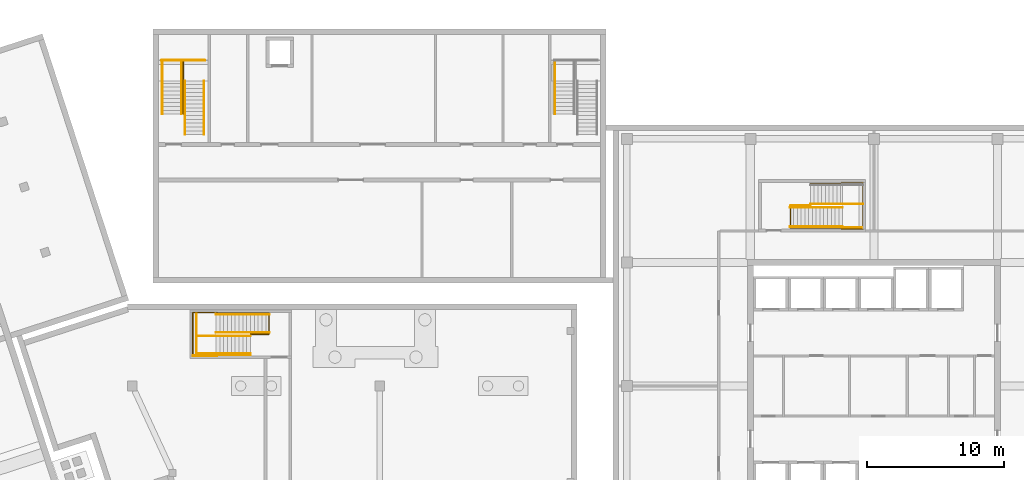
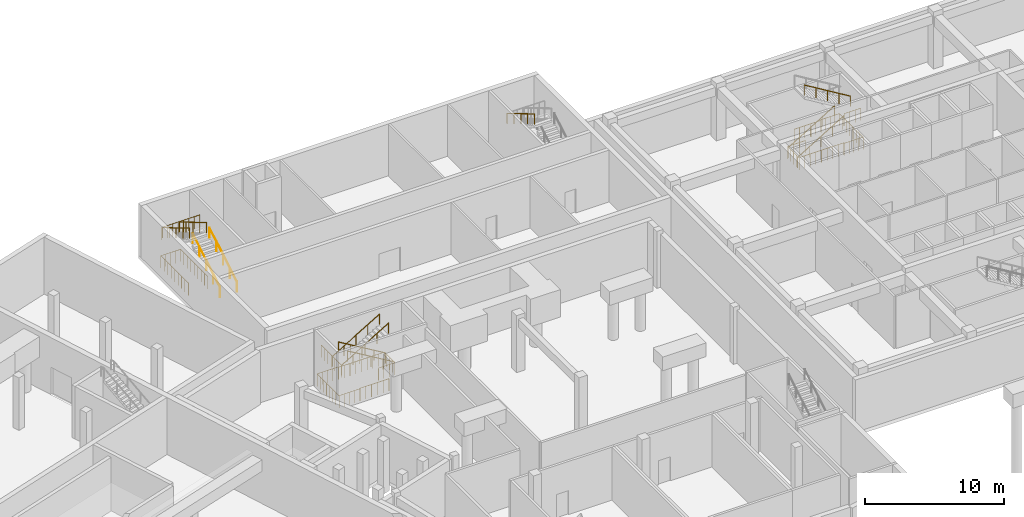
# One storey, part 14 of 15: 20 railings.
"""IFC4 building model written with IfcOpenShell, lengths in metres."""

import ifcopenshell
import ifcopenshell.guid

model = None  # the IFC model being written
_history = None  # IfcOwnerHistory: only IFC2X3 demands one
_inside = {}  # id of a spatial element -> (the spatial element, [elements in it])
_under = {}  # id of a project, library or spatial element -> (it, [spatial elements below it])
_declared = {}  # id of a project -> (the project, [libraries it declares])
_typed = {}  # id of a type object -> (the type object, [elements of that type])
_made_of = {}  # id of a material, layer set ... -> (it, [elements and type objects made of it])


def new_model(schema):
    """Start an empty IFC model of exactly this schema.

    Asked for "IFC4X3", IfcOpenShell would pick the latest addendum, in which some entities
    have other attributes; the version numbers below select the first issue.
    IFC2X3 requires an IfcOwnerHistory on every rooted entity: one is made here for all.
    """
    global model, _history
    if schema == "IFC4X3":
        model = ifcopenshell.file(schema_version=(4, 3, 0, 0))
    else:
        model = ifcopenshell.file(schema=schema)
    _inside.clear()
    _under.clear()
    _declared.clear()
    _typed.clear()
    _made_of.clear()
    _history = None
    if model.schema == "IFC2X3":
        org = make("IfcOrganization", Name="unknown")
        user = make(
            "IfcPersonAndOrganization",
            ThePerson=make("IfcPerson", FamilyName="unknown"),
            TheOrganization=org,
        )
        app = make(
            "IfcApplication",
            ApplicationDeveloper=org,
            Version="unknown",
            ApplicationFullName="unknown",
            ApplicationIdentifier="unknown",
        )
        _history = make(
            "IfcOwnerHistory",
            OwningUser=user,
            OwningApplication=app,
            ChangeAction="ADDED",
            CreationDate=0,
        )
    return model


def make(cls, **values):
    """One entity of the class cls with the attributes given. An attribute that is None is left unset."""
    return model.create_entity(
        cls, **{name: value for name, value in values.items() if value is not None}
    )


def rooted(cls, **values):
    """An entity with a GlobalId (a new one), such as an element, a storey or a relation."""
    return make(cls, GlobalId=ifcopenshell.guid.new(), OwnerHistory=_history, **values)


def si_unit(unit_type, name, prefix=None):
    """IfcSIUnit, for example si_unit("LENGTHUNIT", "METRE", prefix="MILLI")."""
    return make("IfcSIUnit", UnitType=unit_type, Prefix=prefix, Name=name)


def assignment(units):
    """IfcUnitAssignment: the units of a project."""
    return None if units is None else make("IfcUnitAssignment", Units=units)


def point(xyz):
    """IfcCartesianPoint."""
    return None if xyz is None else make("IfcCartesianPoint", Coordinates=xyz)


def direction(xyz):
    """IfcDirection."""
    return None if xyz is None else make("IfcDirection", DirectionRatios=xyz)


def frame(location, z_axis=None, x_axis=None):
    """IfcAxis2Placement3D, a coordinate frame: its origin and axes. An axis left out is left unset."""
    return make(
        "IfcAxis2Placement3D",
        Location=point(location),
        Axis=direction(z_axis),
        RefDirection=direction(x_axis),
    )


def frame_2d(location, x_axis=None):
    """IfcAxis2Placement2D, a coordinate frame in the plane: its origin and x axis."""
    return make(
        "IfcAxis2Placement2D", Location=point(location), RefDirection=direction(x_axis)
    )


def origin():
    """The frame at (0, 0, 0) with its axes left unset."""
    return frame((0.0, 0.0, 0.0))


def origin_2d():
    """The frame at (0, 0) in the plane with its x axis left unset."""
    return frame_2d((0.0, 0.0))


def place(relative_to, where):
    """IfcLocalPlacement: puts the frame where relative to a parent placement (None: the world)."""
    return make(
        "IfcLocalPlacement", PlacementRelTo=relative_to, RelativePlacement=where
    )


def context(
    kind, dimensions, precision=None, world=None, true_north=None, identifier=None
):
    """IfcGeometricRepresentationContext, for example the 3D "Model" context."""
    return make(
        "IfcGeometricRepresentationContext",
        ContextIdentifier=identifier,
        ContextType=kind,
        CoordinateSpaceDimension=dimensions,
        Precision=precision,
        WorldCoordinateSystem=world,
        TrueNorth=true_north,
    )


def subcontext(parent, identifier, kind, view, scale=None):
    """IfcGeometricRepresentationSubContext, for example "Body" below "Model"."""
    return make(
        "IfcGeometricRepresentationSubContext",
        ContextIdentifier=identifier,
        ContextType=kind,
        ParentContext=parent,
        TargetScale=scale,
        TargetView=view,
    )


def project(units=None, contexts=None):
    """IfcProject with its units and contexts."""
    return rooted(
        "IfcProject",
        Name="project",
        RepresentationContexts=contexts,
        UnitsInContext=assignment(units),
    )


def spatial(cls, under=None, at=None, **own):
    """A site, building, storey or space (cls), placed at a placement, below another one or the project."""
    s = rooted(cls, ObjectPlacement=at, **own)
    if under is not None:
        _under.setdefault(under.id(), (under, []))[1].append(s)
    return s


def profile(cls, at=None, kind="AREA", **sizes):
    """A parametric profile (cls). Its sizes go by their IFC names, for example OverallWidth=200.0."""
    return make(cls, ProfileType=kind, Position=at, **sizes)


def circle(**sizes):
    """IfcCircleProfileDef."""
    return profile("IfcCircleProfileDef", **sizes)


def extrude(swept, where, along, depth):
    """IfcExtrudedAreaSolid: the profile swept, set in the frame where, extruded along a direction by depth."""
    return make(
        "IfcExtrudedAreaSolid",
        SweptArea=swept,
        Position=where,
        ExtrudedDirection=direction(along),
        Depth=depth,
    )


def shape(context_of_items, identifier, shape_type, items):
    """IfcShapeRepresentation: the items that make up one representation, for example the "Body"."""
    return make(
        "IfcShapeRepresentation",
        ContextOfItems=context_of_items,
        RepresentationIdentifier=identifier,
        RepresentationType=shape_type,
        Items=items,
    )


def material(Name=None, Category=None):
    """IfcMaterial."""
    return make("IfcMaterial", Name=Name, Category=Category)


def made_of(thing, what):
    """Note that an element or type object is made of a material, layer set ...; save() writes the relation."""
    if what is not None:
        _made_of.setdefault(what.id(), (what, []))[1].append(thing)
    return thing


def type_object(cls, material=None, **own):
    """A type object (cls), such as IfcWallType, which elements share."""
    return made_of(rooted(cls, **own), material)


def element(
    cls,
    number,
    at=None,
    inside=None,
    cuts=None,
    type_object=None,
    material=None,
    context=None,
    identifier="Body",
    shape_type=None,
    held_by="IfcProductDefinitionShape",
    body=None,
    shapes=None,
    **own,
):
    """One element of the class cls, such as IfcWall. Its Tag is "e" and its number.

    at: its placement. inside: the storey or other place that contains it. cuts: it is an
    opening in that element (IfcRelVoidsElement). A single representation is given by context,
    identifier, shape_type and body (its items); several are given by shapes. held_by: the class
    of the entity that holds the representations. save() writes the other relations.
    """
    e = rooted(cls, Tag="e%d" % number, ObjectPlacement=at, **own)
    if body is not None:
        shapes = [shape(context, identifier, shape_type, body)]
    if shapes is not None:
        e.Representation = make(held_by, Representations=shapes)
    if inside is not None:
        _inside.setdefault(inside.id(), (inside, []))[1].append(e)
    if cuts is not None:
        rooted(
            "IfcRelVoidsElement", RelatingBuildingElement=cuts, RelatedOpeningElement=e
        )
    if type_object is not None:
        _typed.setdefault(type_object.id(), (type_object, []))[1].append(e)
    return made_of(e, material)


def aggregate(whole, parts):
    """IfcRelAggregates: a whole, such as a stair, and the parts it consists of."""
    return rooted("IfcRelAggregates", RelatingObject=whole, RelatedObjects=parts)


def save(model, path):
    """Write the relations noted so far, then the file.

    IfcRelAggregates (storeys below a building ...), IfcRelContainedInSpatialStructure (elements
    in a storey), IfcRelDefinesByType, IfcRelAssociatesMaterial and IfcRelDeclares: one each for
    every whole, place, type object, material and project.
    """
    for whole, parts in _under.values():
        aggregate(whole, parts)
    for where, things in _inside.values():
        rooted(
            "IfcRelContainedInSpatialStructure",
            RelatedElements=things,
            RelatingStructure=where,
        )
    for kind, things in _typed.values():
        rooted("IfcRelDefinesByType", RelatedObjects=things, RelatingType=kind)
    for what, things in _made_of.values():
        rooted("IfcRelAssociatesMaterial", RelatedObjects=things, RelatingMaterial=what)
    for by, libraries in _declared.values():
        rooted("IfcRelDeclares", RelatingContext=by, RelatedDefinitions=libraries)
    model.write(path)


model = new_model("IFC4")

# Units and contexts
model_context = context("Model", 3, precision=1e-05, world=origin(), true_north=direction((0.0, 1.0)))
body_context = subcontext(model_context, "Body", "Model", "MODEL_VIEW")
ifc_project = project(units=[si_unit("LENGTHUNIT", "METRE"), si_unit("AREAUNIT", "SQUARE_METRE"), si_unit("VOLUMEUNIT", "CUBIC_METRE"), si_unit("PLANEANGLEUNIT", "RADIAN"), si_unit("MASSUNIT", "GRAM", prefix="KILO")], contexts=[model_context])

# Site, building, storey
site_placement = place(None, origin())
site = spatial("IfcSite", under=ifc_project, at=site_placement, CompositionType="ELEMENT")
building_placement = place(site_placement, origin())
building = spatial("IfcBuilding", under=site, at=building_placement, Name="Tuart Plaza Theatre", CompositionType="ELEMENT")
storey_placement = place(building_placement, frame((0.0, 0.0, -5.0)))
storey = spatial("IfcBuildingStorey", under=building, at=storey_placement, Name="B1", CompositionType="ELEMENT", Elevation=-5.0)

# Railings
ifc_material_1 = material(Name="Steel Grade C350L0", Category="steel")
railing_type_1 = type_object("IfcRailingType", Name="RAILING Guard 1100", PredefinedType="GUARDRAIL", material=ifc_material_1)
railing_1_placement = place(storey_placement, frame((82.39990234375, 76.199951171875, 0.0)))
element("IfcRailing", 1, at=railing_1_placement, inside=storey, type_object=railing_type_1, Name="GR169", PredefinedType="GUARDRAIL", context=body_context, shape_type="SweptSolid", body=[
    extrude(circle(Radius=0.02490234375, at=origin_2d()), frame((0.0, 0.0, 1.0751953125), z_axis=(0.0, 1.0, 0.0), x_axis=(-1.0, 0.0, 0.0)), (0.0, 0.0, 1.0), 3.150146484375),
    extrude(circle(Radius=0.02490234375, at=origin_2d()), frame((0.0, 3.150146484375, 1.0751953125), z_axis=(1.0, 0.0, 0.0), x_axis=(0.0, 1.0, 0.0)), (0.0, 0.0, 1.0), 1.75),
    extrude(circle(Radius=0.02490234375, at=origin_2d()), frame((1.75, 3.150146484375, 1.0751953125), z_axis=(0.0, -1.0, 0.0), x_axis=(1.0, 0.0, 0.0)), (0.0, 0.0, 1.0), 0.050048828125),
    extrude(circle(Radius=0.02490234375, at=origin_2d()), frame((1.75, 3.10009765625, 1.0751953125), z_axis=(1.0, 0.0, 0.0), x_axis=(0.0, 1.0, 0.0)), (0.0, 0.0, 1.0), 3.7900390625),
    extrude(circle(Radius=0.02490234375, at=origin_2d()), frame((5.5400390625, 3.10009765625, 1.0751953125), z_axis=(0.0, -1.0, 0.0), x_axis=(1.0, 0.0, 0.0)), (0.0, 0.0, 1.0), 1.525146484375),
    extrude(circle(Radius=0.02490234375, at=origin_2d()), frame((5.5400390625, 1.574951171875, 1.0751953125), z_axis=(-1.0, 0.0, 0.0), x_axis=(0.0, -1.0, 0.0)), (0.0, 0.0, 1.0), 1.35498046875),
    extrude(circle(Radius=0.02001953125, at=origin_2d()), origin(), (0.0, 0.0, 1.0), 1.050048828125),
    extrude(circle(Radius=0.02001953125, at=origin_2d()), frame((0.0, 0.449951171875, 0.0)), (0.0, 0.0, 1.0), 1.050048828125),
    extrude(circle(Radius=0.02001953125, at=origin_2d()), frame((0.0, 0.900146484375, 0.0)), (0.0, 0.0, 1.0), 1.050048828125),
    extrude(circle(Radius=0.02001953125, at=origin_2d()), frame((0.0, 1.35009765625, 0.0)), (0.0, 0.0, 1.0), 1.050048828125),
    extrude(circle(Radius=0.02001953125, at=origin_2d()), frame((0.0, 1.800048828125, 0.0)), (0.0, 0.0, 1.0), 1.050048828125),
    extrude(circle(Radius=0.02001953125, at=origin_2d()), frame((0.0, 2.25, 0.0)), (0.0, 0.0, 1.0), 1.050048828125),
    extrude(circle(Radius=0.02001953125, at=origin_2d()), frame((0.0, 2.7001953125, 0.0)), (0.0, 0.0, 1.0), 1.050048828125),
    extrude(circle(Radius=0.02001953125, at=origin_2d()), frame((0.0, 3.150146484375, 0.0)), (0.0, 0.0, 1.0), 1.050048828125),
    extrude(circle(Radius=0.02001953125, at=origin_2d()), frame((0.4375, 3.150146484375, 0.0)), (0.0, 0.0, 1.0), 1.050048828125),
    extrude(circle(Radius=0.02001953125, at=origin_2d()), frame((0.875, 3.150146484375, 0.0)), (0.0, 0.0, 1.0), 1.050048828125),
    extrude(circle(Radius=0.02001953125, at=origin_2d()), frame((1.3125, 3.150146484375, 0.0)), (0.0, 0.0, 1.0), 1.050048828125),
    extrude(circle(Radius=0.02001953125, at=origin_2d()), frame((1.75, 3.150146484375, 0.0)), (0.0, 0.0, 1.0), 1.050048828125),
    extrude(circle(Radius=0.02001953125, at=origin_2d()), frame((1.75, 3.10009765625, 0.0)), (0.0, 0.0, 1.0), 1.050048828125),
    extrude(circle(Radius=0.02001953125, at=origin_2d()), frame((2.2236328125, 3.10009765625, 0.0)), (0.0, 0.0, 1.0), 1.050048828125),
    extrude(circle(Radius=0.02001953125, at=origin_2d()), frame((2.697509765625, 3.10009765625, 0.0)), (0.0, 0.0, 1.0), 1.050048828125),
    extrude(circle(Radius=0.02001953125, at=origin_2d()), frame((3.17138671875, 3.10009765625, 0.0)), (0.0, 0.0, 1.0), 1.050048828125),
    extrude(circle(Radius=0.02001953125, at=origin_2d()), frame((3.64501953125, 3.10009765625, 0.0)), (0.0, 0.0, 1.0), 1.050048828125),
    extrude(circle(Radius=0.02001953125, at=origin_2d()), frame((4.11865234375, 3.10009765625, 0.0)), (0.0, 0.0, 1.0), 1.050048828125),
    extrude(circle(Radius=0.02001953125, at=origin_2d()), frame((4.592529296875, 3.10009765625, 0.0)), (0.0, 0.0, 1.0), 1.050048828125),
    extrude(circle(Radius=0.02001953125, at=origin_2d()), frame((5.06640625, 3.10009765625, 0.0)), (0.0, 0.0, 1.0), 1.050048828125),
    extrude(circle(Radius=0.02001953125, at=origin_2d()), frame((5.5400390625, 3.10009765625, 0.0)), (0.0, 0.0, 1.0), 1.050048828125),
    extrude(circle(Radius=0.02001953125, at=origin_2d()), frame((5.5400390625, 2.71875, 0.0)), (0.0, 0.0, 1.0), 1.050048828125),
    extrude(circle(Radius=0.02001953125, at=origin_2d()), frame((5.5400390625, 2.33740234375, 0.0)), (0.0, 0.0, 1.0), 1.050048828125),
    extrude(circle(Radius=0.02001953125, at=origin_2d()), frame((5.5400390625, 1.956298828125, 0.0)), (0.0, 0.0, 1.0), 1.050048828125),
    extrude(circle(Radius=0.02001953125, at=origin_2d()), frame((5.5400390625, 1.574951171875, 0.0)), (0.0, 0.0, 1.0), 1.050048828125),
    extrude(circle(Radius=0.02001953125, at=origin_2d()), frame((5.08837890625, 1.574951171875, 0.0)), (0.0, 0.0, 1.0), 1.050048828125),
    extrude(circle(Radius=0.02001953125, at=origin_2d()), frame((4.63671875, 1.574951171875, 0.0)), (0.0, 0.0, 1.0), 1.050048828125),
    extrude(circle(Radius=0.02001953125, at=origin_2d()), frame((4.18505859375, 1.574951171875, 0.0)), (0.0, 0.0, 1.0), 1.050048828125),
])
railing_2_placement = place(storey_placement, frame((86.580078125, 76.294921875, 0.0)))
element("IfcRailing", 2, at=railing_2_placement, inside=storey, type_object=railing_type_1, Name="GR170", PredefinedType="GUARDRAIL", context=body_context, shape_type="SweptSolid", body=[
    extrude(circle(Radius=0.02490234375, at=origin_2d()), frame((0.0, 0.0, 1.0751953125), z_axis=(0.0, -1.0, 0.0), x_axis=(1.0, 0.0, 0.0)), (0.0, 0.0, 1.0), 0.044921875),
    extrude(circle(Radius=0.02490234375, at=origin_2d()), frame((0.0, -0.044921875, 1.0751953125), z_axis=(-1.0, 0.0, 0.0), x_axis=(0.0, -1.0, 0.0)), (0.0, 0.0, 1.0), 2.43017578125),
    extrude(circle(Radius=0.02490234375, at=origin_2d()), frame((-2.43017578125, -0.044921875, 1.0751953125), z_axis=(0.0, -1.0, 0.0), x_axis=(1.0, 0.0, 0.0)), (0.0, 0.0, 1.0), 0.050048828125),
    extrude(circle(Radius=0.02490234375, at=origin_2d()), frame((-2.43017578125, -0.094970703125, 1.0751953125), z_axis=(-1.0, 0.0, 0.0), x_axis=(0.0, -1.0, 0.0)), (0.0, 0.0, 1.0), 1.75),
    extrude(circle(Radius=0.02001953125, at=origin_2d()), origin(), (0.0, 0.0, 1.0), 1.050048828125),
    extrude(circle(Radius=0.02001953125, at=origin_2d()), frame((0.0, -0.044921875, 0.0)), (0.0, 0.0, 1.0), 1.050048828125),
    extrude(circle(Radius=0.02001953125, at=origin_2d()), frame((-0.486083984375, -0.044921875, 0.0)), (0.0, 0.0, 1.0), 1.050048828125),
    extrude(circle(Radius=0.02001953125, at=origin_2d()), frame((-0.97216796875, -0.044921875, 0.0)), (0.0, 0.0, 1.0), 1.050048828125),
    extrude(circle(Radius=0.02001953125, at=origin_2d()), frame((-1.4580078125, -0.044921875, 0.0)), (0.0, 0.0, 1.0), 1.050048828125),
    extrude(circle(Radius=0.02001953125, at=origin_2d()), frame((-1.944091796875, -0.044921875, 0.0)), (0.0, 0.0, 1.0), 1.050048828125),
    extrude(circle(Radius=0.02001953125, at=origin_2d()), frame((-2.43017578125, -0.044921875, 0.0)), (0.0, 0.0, 1.0), 1.050048828125),
    extrude(circle(Radius=0.02001953125, at=origin_2d()), frame((-2.43017578125, -0.094970703125, 0.0)), (0.0, 0.0, 1.0), 1.050048828125),
    extrude(circle(Radius=0.02001953125, at=origin_2d()), frame((-2.86767578125, -0.094970703125, 0.0)), (0.0, 0.0, 1.0), 1.050048828125),
    extrude(circle(Radius=0.02001953125, at=origin_2d()), frame((-3.30517578125, -0.094970703125, 0.0)), (0.0, 0.0, 1.0), 1.050048828125),
    extrude(circle(Radius=0.02001953125, at=origin_2d()), frame((-3.74267578125, -0.094970703125, 0.0)), (0.0, 0.0, 1.0), 1.050048828125),
    extrude(circle(Radius=0.02001953125, at=origin_2d()), frame((-4.18017578125, -0.094970703125, 0.0)), (0.0, 0.0, 1.0), 1.050048828125),
])
railing_3_placement = place(storey_placement, frame((82.669921875, 79.22998046875, 2.5)))
element("IfcRailing", 3, at=railing_3_placement, inside=storey, type_object=railing_type_1, Name="GR174", PredefinedType="GUARDRAIL", context=body_context, shape_type="SweptSolid", body=[
    extrude(circle(Radius=0.02490234375, at=origin_2d()), frame((0.0, 0.0, 1.0751953125), z_axis=(0.0, -1.0, 0.0), x_axis=(1.0, 0.0, 0.0)), (0.0, 0.0, 1.0), 2.909912109375),
    extrude(circle(Radius=0.02001953125, at=origin_2d()), origin(), (0.0, 0.0, 1.0), 1.050048828125),
    extrude(circle(Radius=0.02001953125, at=origin_2d()), frame((0.0, -0.48486328125, 0.0)), (0.0, 0.0, 1.0), 1.050048828125),
    extrude(circle(Radius=0.02001953125, at=origin_2d()), frame((0.0, -0.969970703125, 0.0)), (0.0, 0.0, 1.0), 1.050048828125),
    extrude(circle(Radius=0.02001953125, at=origin_2d()), frame((0.0, -1.455078125, 0.0)), (0.0, 0.0, 1.0), 1.050048828125),
    extrude(circle(Radius=0.02001953125, at=origin_2d()), frame((0.0, -1.93994140625, 0.0)), (0.0, 0.0, 1.0), 1.050048828125),
    extrude(circle(Radius=0.02001953125, at=origin_2d()), frame((0.0, -2.4248046875, 0.0)), (0.0, 0.0, 1.0), 1.050048828125),
    extrude(circle(Radius=0.02001953125, at=origin_2d()), frame((0.0, -2.909912109375, 0.0)), (0.0, 0.0, 1.0), 1.050048828125),
])
railing_4_placement = place(storey_placement, frame((125.929931640625, 87.125, 0.0)))
element("IfcRailing", 4, at=railing_4_placement, inside=storey, type_object=railing_type_1, Name="GR445", PredefinedType="GUARDRAIL", context=body_context, shape_type="SweptSolid", body=[
    extrude(circle(Radius=0.02490234375, at=origin_2d()), frame((0.0, 0.0, 1.0751953125), z_axis=(1.0, 0.0, 0.0), x_axis=(0.0, 1.0, 0.0)), (0.0, 0.0, 1.0), 1.455078125),
    extrude(circle(Radius=0.02001953125, at=origin_2d()), origin(), (0.0, 0.0, 1.0), 1.050048828125),
    extrude(circle(Radius=0.02001953125, at=origin_2d()), frame((0.485107421875, 0.0, 0.0)), (0.0, 0.0, 1.0), 1.050048828125),
    extrude(circle(Radius=0.02001953125, at=origin_2d()), frame((0.969970703125, 0.0, 0.0)), (0.0, 0.0, 1.0), 1.050048828125),
    extrude(circle(Radius=0.02001953125, at=origin_2d()), frame((1.455078125, 0.0, 0.0)), (0.0, 0.0, 1.0), 1.050048828125),
])
railing_5_placement = place(storey_placement, frame((127.389892578125, 88.705078125, 0.0)))
element("IfcRailing", 5, at=railing_5_placement, inside=storey, type_object=railing_type_1, Name="GR446", PredefinedType="GUARDRAIL", context=body_context, shape_type="SweptSolid", body=[
    extrude(circle(Radius=0.02490234375, at=origin_2d()), frame((0.0, 0.0, 1.0751953125), z_axis=(0.0, 1.0, 0.0), x_axis=(-1.0, 0.0, 0.0)), (0.0, 0.0, 1.0), 0.044921875),
    extrude(circle(Radius=0.02490234375, at=origin_2d()), frame((0.0, 0.044921875, 1.0751953125), z_axis=(1.0, 0.0, 0.0), x_axis=(0.0, 1.0, 0.0)), (0.0, 0.0, 1.0), 2.260009765625),
    extrude(circle(Radius=0.02490234375, at=origin_2d()), frame((2.260009765625, 0.044921875, 1.0751953125), z_axis=(0.0, 1.0, 0.0), x_axis=(-1.0, 0.0, 0.0)), (0.0, 0.0, 1.0), 0.074951171875),
    extrude(circle(Radius=0.02490234375, at=origin_2d()), frame((2.260009765625, 0.119873046875, 1.0751953125), z_axis=(1.0, 0.0, 0.0), x_axis=(0.0, 1.0, 0.0)), (0.0, 0.0, 1.0), 1.550048828125),
    extrude(circle(Radius=0.02490234375, at=origin_2d()), frame((3.81005859375, 0.119873046875, 1.0751953125), z_axis=(0.0, -1.0, 0.0), x_axis=(1.0, 0.0, 0.0)), (0.0, 0.0, 1.0), 3.39990234375),
    extrude(circle(Radius=0.02490234375, at=origin_2d()), frame((3.81005859375, -3.280029296875, 1.0751953125), z_axis=(-1.0, 0.0, 0.0), x_axis=(0.0, -1.0, 0.0)), (0.0, 0.0, 1.0), 1.550048828125),
    extrude(circle(Radius=0.02490234375, at=origin_2d()), frame((2.260009765625, -3.280029296875, 1.0751953125), z_axis=(0.0, 1.0, 0.0), x_axis=(-1.0, 0.0, 0.0)), (0.0, 0.0, 1.0), 0.074951171875),
    extrude(circle(Radius=0.02490234375, at=origin_2d()), frame((2.260009765625, -3.205078125, 1.0751953125), z_axis=(-1.0, 0.0, 0.0), x_axis=(0.0, -1.0, 0.0)), (0.0, 0.0, 1.0), 3.719970703125),
    extrude(circle(Radius=0.02490234375, at=origin_2d()), frame((-1.4599609375, -3.205078125, 1.0751953125), z_axis=(0.0, 1.0, 0.0), x_axis=(-1.0, 0.0, 0.0)), (0.0, 0.0, 1.0), 1.625),
    extrude(circle(Radius=0.02001953125, at=origin_2d()), origin(), (0.0, 0.0, 1.0), 1.050048828125),
    extrude(circle(Radius=0.02001953125, at=origin_2d()), frame((0.0, 0.044921875, 0.0)), (0.0, 0.0, 1.0), 1.050048828125),
    extrude(circle(Radius=0.02001953125, at=origin_2d()), frame((0.451904296875, 0.044921875, 0.0)), (0.0, 0.0, 1.0), 1.050048828125),
    extrude(circle(Radius=0.02001953125, at=origin_2d()), frame((0.904052734375, 0.044921875, 0.0)), (0.0, 0.0, 1.0), 1.050048828125),
    extrude(circle(Radius=0.02001953125, at=origin_2d()), frame((1.35595703125, 0.044921875, 0.0)), (0.0, 0.0, 1.0), 1.050048828125),
    extrude(circle(Radius=0.02001953125, at=origin_2d()), frame((1.80810546875, 0.044921875, 0.0)), (0.0, 0.0, 1.0), 1.050048828125),
    extrude(circle(Radius=0.02001953125, at=origin_2d()), frame((2.260009765625, 0.044921875, 0.0)), (0.0, 0.0, 1.0), 1.050048828125),
    extrude(circle(Radius=0.02001953125, at=origin_2d()), frame((2.260009765625, 0.119873046875, 0.0)), (0.0, 0.0, 1.0), 1.050048828125),
    extrude(circle(Radius=0.02001953125, at=origin_2d()), frame((2.6474609375, 0.119873046875, 0.0)), (0.0, 0.0, 1.0), 1.050048828125),
    extrude(circle(Radius=0.02001953125, at=origin_2d()), frame((3.03515625, 0.119873046875, 0.0)), (0.0, 0.0, 1.0), 1.050048828125),
    extrude(circle(Radius=0.02001953125, at=origin_2d()), frame((3.422607421875, 0.119873046875, 0.0)), (0.0, 0.0, 1.0), 1.050048828125),
    extrude(circle(Radius=0.02001953125, at=origin_2d()), frame((3.81005859375, 0.119873046875, 0.0)), (0.0, 0.0, 1.0), 1.050048828125),
    extrude(circle(Radius=0.02001953125, at=origin_2d()), frame((3.81005859375, -0.36572265625, 0.0)), (0.0, 0.0, 1.0), 1.050048828125),
    extrude(circle(Radius=0.02001953125, at=origin_2d()), frame((3.81005859375, -0.8515625, 0.0)), (0.0, 0.0, 1.0), 1.050048828125),
    extrude(circle(Radius=0.02001953125, at=origin_2d()), frame((3.81005859375, -1.337158203125, 0.0)), (0.0, 0.0, 1.0), 1.050048828125),
    extrude(circle(Radius=0.02001953125, at=origin_2d()), frame((3.81005859375, -1.822998046875, 0.0)), (0.0, 0.0, 1.0), 1.050048828125),
    extrude(circle(Radius=0.02001953125, at=origin_2d()), frame((3.81005859375, -2.30859375, 0.0)), (0.0, 0.0, 1.0), 1.050048828125),
    extrude(circle(Radius=0.02001953125, at=origin_2d()), frame((3.81005859375, -2.79443359375, 0.0)), (0.0, 0.0, 1.0), 1.050048828125),
    extrude(circle(Radius=0.02001953125, at=origin_2d()), frame((3.81005859375, -3.280029296875, 0.0)), (0.0, 0.0, 1.0), 1.050048828125),
    extrude(circle(Radius=0.02001953125, at=origin_2d()), frame((3.422607421875, -3.280029296875, 0.0)), (0.0, 0.0, 1.0), 1.050048828125),
    extrude(circle(Radius=0.02001953125, at=origin_2d()), frame((3.03515625, -3.280029296875, 0.0)), (0.0, 0.0, 1.0), 1.050048828125),
    extrude(circle(Radius=0.02001953125, at=origin_2d()), frame((2.6474609375, -3.280029296875, 0.0)), (0.0, 0.0, 1.0), 1.050048828125),
    extrude(circle(Radius=0.02001953125, at=origin_2d()), frame((2.260009765625, -3.280029296875, 0.0)), (0.0, 0.0, 1.0), 1.050048828125),
    extrude(circle(Radius=0.02001953125, at=origin_2d()), frame((2.260009765625, -3.205078125, 0.0)), (0.0, 0.0, 1.0), 1.050048828125),
    extrude(circle(Radius=0.02001953125, at=origin_2d()), frame((1.794921875, -3.205078125, 0.0)), (0.0, 0.0, 1.0), 1.050048828125),
    extrude(circle(Radius=0.02001953125, at=origin_2d()), frame((1.330078125, -3.205078125, 0.0)), (0.0, 0.0, 1.0), 1.050048828125),
    extrude(circle(Radius=0.02001953125, at=origin_2d()), frame((0.864990234375, -3.205078125, 0.0)), (0.0, 0.0, 1.0), 1.050048828125),
    extrude(circle(Radius=0.02001953125, at=origin_2d()), frame((0.39990234375, -3.205078125, 0.0)), (0.0, 0.0, 1.0), 1.050048828125),
    extrude(circle(Radius=0.02001953125, at=origin_2d()), frame((-0.06494140625, -3.205078125, 0.0)), (0.0, 0.0, 1.0), 1.050048828125),
    extrude(circle(Radius=0.02001953125, at=origin_2d()), frame((-0.530029296875, -3.205078125, 0.0)), (0.0, 0.0, 1.0), 1.050048828125),
    extrude(circle(Radius=0.02001953125, at=origin_2d()), frame((-0.994873046875, -3.205078125, 0.0)), (0.0, 0.0, 1.0), 1.050048828125),
    extrude(circle(Radius=0.02001953125, at=origin_2d()), frame((-1.4599609375, -3.205078125, 0.0)), (0.0, 0.0, 1.0), 1.050048828125),
    extrude(circle(Radius=0.02001953125, at=origin_2d()), frame((-1.4599609375, -2.798828125, 0.0)), (0.0, 0.0, 1.0), 1.050048828125),
    extrude(circle(Radius=0.02001953125, at=origin_2d()), frame((-1.4599609375, -2.392578125, 0.0)), (0.0, 0.0, 1.0), 1.050048828125),
    extrude(circle(Radius=0.02001953125, at=origin_2d()), frame((-1.4599609375, -1.986328125, 0.0)), (0.0, 0.0, 1.0), 1.050048828125),
    extrude(circle(Radius=0.02001953125, at=origin_2d()), frame((-1.4599609375, -1.580078125, 0.0)), (0.0, 0.0, 1.0), 1.050048828125),
])
railing_6_placement = place(storey_placement, frame((129.699951171875, 85.550048828125, 2.5)))
element("IfcRailing", 6, at=railing_6_placement, inside=storey, type_object=railing_type_1, Name="GR451", PredefinedType="GUARDRAIL", context=body_context, shape_type="SweptSolid", body=[
    extrude(circle(Radius=0.02490234375, at=origin_2d()), frame((0.0, 0.0, 1.0751953125), z_axis=(1.0, 0.0, 0.0), x_axis=(0.0, 1.0, 0.0)), (0.0, 0.0, 1.0), 1.380126953125),
    extrude(circle(Radius=0.02001953125, at=origin_2d()), origin(), (0.0, 0.0, 1.0), 1.050048828125),
    extrude(circle(Radius=0.02001953125, at=origin_2d()), frame((0.4599609375, 0.0, 0.0)), (0.0, 0.0, 1.0), 1.050048828125),
    extrude(circle(Radius=0.02001953125, at=origin_2d()), frame((0.920166015625, 0.0, 0.0)), (0.0, 0.0, 1.0), 1.050048828125),
    extrude(circle(Radius=0.02001953125, at=origin_2d()), frame((1.380126953125, 0.0, 0.0)), (0.0, 0.0, 1.0), 1.050048828125),
])
railing_7_placement = place(storey_placement, frame((81.699951171875, 93.824951171875, 0.0)))
element("IfcRailing", 7, at=railing_7_placement, inside=storey, type_object=railing_type_1, Name="GR463", PredefinedType="GUARDRAIL", context=body_context, shape_type="SweptSolid", body=[
    extrude(circle(Radius=0.02490234375, at=origin_2d()), frame((0.0, 0.0, 1.0751953125), z_axis=(0.0, 1.0, 0.0), x_axis=(-1.0, 0.0, 0.0)), (0.0, 0.0, 1.0), 3.945068359375),
    extrude(circle(Radius=0.02490234375, at=origin_2d()), frame((0.0, 3.945068359375, 1.0751953125), z_axis=(-1.0, 0.0, 0.0), x_axis=(0.0, -1.0, 0.0)), (0.0, 0.0, 1.0), 1.625),
    extrude(circle(Radius=0.02490234375, at=origin_2d()), frame((-1.625, 3.945068359375, 1.0751953125), z_axis=(0.0, -1.0, 0.0), x_axis=(1.0, 0.0, 0.0)), (0.0, 0.0, 1.0), 3.949951171875),
    extrude(circle(Radius=0.02490234375, at=origin_2d()), frame((-1.625, -0.0048828125, 1.0751953125), z_axis=(1.0, 0.0, 0.0), x_axis=(0.0, 1.0, 0.0)), (0.0, 0.0, 1.0), 0.045166015625),
    extrude(circle(Radius=0.02001953125, at=origin_2d()), origin(), (0.0, 0.0, 1.0), 1.050048828125),
    extrude(circle(Radius=0.02001953125, at=origin_2d()), frame((0.0, 0.4931640625, 0.0)), (0.0, 0.0, 1.0), 1.050048828125),
    extrude(circle(Radius=0.02001953125, at=origin_2d()), frame((0.0, 0.986328125, 0.0)), (0.0, 0.0, 1.0), 1.050048828125),
    extrude(circle(Radius=0.02001953125, at=origin_2d()), frame((0.0, 1.4794921875, 0.0)), (0.0, 0.0, 1.0), 1.050048828125),
    extrude(circle(Radius=0.02001953125, at=origin_2d()), frame((0.0, 1.97265625, 0.0)), (0.0, 0.0, 1.0), 1.050048828125),
    extrude(circle(Radius=0.02001953125, at=origin_2d()), frame((0.0, 2.465576171875, 0.0)), (0.0, 0.0, 1.0), 1.050048828125),
    extrude(circle(Radius=0.02001953125, at=origin_2d()), frame((0.0, 2.958740234375, 0.0)), (0.0, 0.0, 1.0), 1.050048828125),
    extrude(circle(Radius=0.02001953125, at=origin_2d()), frame((0.0, 3.451904296875, 0.0)), (0.0, 0.0, 1.0), 1.050048828125),
    extrude(circle(Radius=0.02001953125, at=origin_2d()), frame((0.0, 3.945068359375, 0.0)), (0.0, 0.0, 1.0), 1.050048828125),
    extrude(circle(Radius=0.02001953125, at=origin_2d()), frame((-0.40625, 3.945068359375, 0.0)), (0.0, 0.0, 1.0), 1.050048828125),
    extrude(circle(Radius=0.02001953125, at=origin_2d()), frame((-0.8125, 3.945068359375, 0.0)), (0.0, 0.0, 1.0), 1.050048828125),
    extrude(circle(Radius=0.02001953125, at=origin_2d()), frame((-1.21875, 3.945068359375, 0.0)), (0.0, 0.0, 1.0), 1.050048828125),
    extrude(circle(Radius=0.02001953125, at=origin_2d()), frame((-1.625, 3.945068359375, 0.0)), (0.0, 0.0, 1.0), 1.050048828125),
    extrude(circle(Radius=0.02001953125, at=origin_2d()), frame((-1.625, 3.451416015625, 0.0)), (0.0, 0.0, 1.0), 1.050048828125),
    extrude(circle(Radius=0.02001953125, at=origin_2d()), frame((-1.625, 2.95751953125, 0.0)), (0.0, 0.0, 1.0), 1.050048828125),
    extrude(circle(Radius=0.02001953125, at=origin_2d()), frame((-1.625, 2.4638671875, 0.0)), (0.0, 0.0, 1.0), 1.050048828125),
    extrude(circle(Radius=0.02001953125, at=origin_2d()), frame((-1.625, 1.97021484375, 0.0)), (0.0, 0.0, 1.0), 1.050048828125),
    extrude(circle(Radius=0.02001953125, at=origin_2d()), frame((-1.625, 1.476318359375, 0.0)), (0.0, 0.0, 1.0), 1.050048828125),
    extrude(circle(Radius=0.02001953125, at=origin_2d()), frame((-1.625, 0.982666015625, 0.0)), (0.0, 0.0, 1.0), 1.050048828125),
    extrude(circle(Radius=0.02001953125, at=origin_2d()), frame((-1.625, 0.48876953125, 0.0)), (0.0, 0.0, 1.0), 1.050048828125),
    extrude(circle(Radius=0.02001953125, at=origin_2d()), frame((-1.625, -0.0048828125, 0.0)), (0.0, 0.0, 1.0), 1.050048828125),
    extrude(circle(Radius=0.02001953125, at=origin_2d()), frame((-1.579833984375, -0.0048828125, 0.0)), (0.0, 0.0, 1.0), 1.050048828125),
])
railing_8_placement = place(storey_placement, frame((83.27490234375, 97.719970703125, 2.5)))
element("IfcRailing", 8, at=railing_8_placement, inside=storey, type_object=railing_type_1, Name="GR466", PredefinedType="GUARDRAIL", context=body_context, shape_type="SweptSolid", body=[
    extrude(circle(Radius=0.02490234375, at=origin_2d()), frame((0.0, 0.0, 1.0751953125), z_axis=(-1.0, 0.0, 0.0), x_axis=(0.0, -1.0, 0.0)), (0.0, 0.0, 1.0), 3.14990234375),
    extrude(circle(Radius=0.02001953125, at=origin_2d()), origin(), (0.0, 0.0, 1.0), 1.050048828125),
    extrude(circle(Radius=0.02001953125, at=origin_2d()), frame((-0.449951171875, 0.0, 0.0)), (0.0, 0.0, 1.0), 1.050048828125),
    extrude(circle(Radius=0.02001953125, at=origin_2d()), frame((-0.89990234375, 0.0, 0.0)), (0.0, 0.0, 1.0), 1.050048828125),
    extrude(circle(Radius=0.02001953125, at=origin_2d()), frame((-1.349853515625, 0.0, 0.0)), (0.0, 0.0, 1.0), 1.050048828125),
    extrude(circle(Radius=0.02001953125, at=origin_2d()), frame((-1.800048828125, 0.0, 0.0)), (0.0, 0.0, 1.0), 1.050048828125),
    extrude(circle(Radius=0.02001953125, at=origin_2d()), frame((-2.25, 0.0, 0.0)), (0.0, 0.0, 1.0), 1.050048828125),
    extrude(circle(Radius=0.02001953125, at=origin_2d()), frame((-2.699951171875, 0.0, 0.0)), (0.0, 0.0, 1.0), 1.050048828125),
    extrude(circle(Radius=0.02001953125, at=origin_2d()), frame((-3.14990234375, 0.0, 0.0)), (0.0, 0.0, 1.0), 1.050048828125),
])
ifc_material_2 = material(Name="Steel Grade C350L0", Category="steel")
railing_type_2 = type_object("IfcRailingType", Name="RAILING Handrail 900", PredefinedType="HANDRAIL", material=ifc_material_2)
for number, where, name in (
    (9, (88.0, 77.89990234375, 0.166748046875), "HR107"),
    (10, (88.0, 79.199951171875, 0.166748046875), "HR108"),
):
    element("IfcRailing", number, at=place(storey_placement, frame(where)), inside=storey, type_object=railing_type_2, Name=name, PredefinedType="HANDRAIL", context=body_context, shape_type="SweptSolid", body=[
        extrude(circle(Radius=0.0224609375, at=origin_2d()), frame((0.0, 0.0, 0.87744140625), z_axis=(-0.859296244711, 0.0, 0.511478214419), x_axis=(0.0, -1.0, 0.0)), (0.0, 0.0, 1.0), 4.561767578125),
        extrude(circle(Radius=0.01513671875, at=origin_2d()), origin(), (0.0, 0.0, 1.0), 0.85498046875),
        extrude(circle(Radius=0.01513671875, at=origin_2d()), frame((-0.97998046875, 0.0, 0.583251953125)), (0.0, 0.0, 1.0), 0.85498046875),
        extrude(circle(Radius=0.01513671875, at=origin_2d()), frame((-1.9599609375, 0.0, 1.16650390625)), (0.0, 0.0, 1.0), 0.85498046875),
        extrude(circle(Radius=0.01513671875, at=origin_2d()), frame((-2.93994140625, 0.0, 1.75)), (0.0, 0.0, 1.0), 0.85498046875),
        extrude(circle(Radius=0.01513671875, at=origin_2d()), frame((-3.919921875, 0.0, 2.333251953125)), (0.0, 0.0, 1.0), 0.85498046875),
    ])
for number, where, name in (
    (11, (82.679931640625, 77.64990234375, 2.666748046875), "HR109"),
    (12, (82.679931640625, 76.35009765625, 2.666748046875), "HR110"),
):
    element("IfcRailing", number, at=place(storey_placement, frame(where)), inside=storey, type_object=railing_type_2, Name=name, PredefinedType="HANDRAIL", context=body_context, shape_type="SweptSolid", body=[
        extrude(circle(Radius=0.0224609375, at=origin_2d()), frame((0.0, 0.0, 0.87744140625), z_axis=(0.859310244771, 0.0, 0.511454693235), x_axis=(0.0, 1.0, 0.0)), (0.0, 0.0, 1.0), 4.56201171875),
        extrude(circle(Radius=0.01513671875, at=origin_2d()), origin(), (0.0, 0.0, 1.0), 0.85498046875),
        extrude(circle(Radius=0.01513671875, at=origin_2d()), frame((0.97998046875, 0.0, 0.583251953125)), (0.0, 0.0, 1.0), 0.85498046875),
        extrude(circle(Radius=0.01513671875, at=origin_2d()), frame((1.9599609375, 0.0, 1.16650390625)), (0.0, 0.0, 1.0), 0.85498046875),
        extrude(circle(Radius=0.01513671875, at=origin_2d()), frame((2.940185546875, 0.0, 1.75)), (0.0, 0.0, 1.0), 0.85498046875),
        extrude(circle(Radius=0.01513671875, at=origin_2d()), frame((3.920166015625, 0.0, 2.333251953125)), (0.0, 0.0, 1.0), 0.85498046875),
    ])
for number, where, name in (
    (13, (125.8701171875, 87.0, 0.166748046875), "HR319"),
    (14, (125.8701171875, 85.60009765625, 0.166748046875), "HR320"),
):
    element("IfcRailing", number, at=place(storey_placement, frame(where)), inside=storey, type_object=railing_type_2, Name=name, PredefinedType="HANDRAIL", context=body_context, shape_type="SweptSolid", body=[
        extrude(circle(Radius=0.0224609375, at=origin_2d()), frame((0.0, 0.0, 0.87744140625), z_axis=(0.855197103107, 0.0, 0.518302918029), x_axis=(0.0, 1.0, 0.0)), (0.0, 0.0, 1.0), 4.501708984375),
        extrude(circle(Radius=0.01513671875, at=origin_2d()), origin(), (0.0, 0.0, 1.0), 0.85498046875),
        extrude(circle(Radius=0.01513671875, at=origin_2d()), frame((0.96240234375, 0.0, 0.583251953125)), (0.0, 0.0, 1.0), 0.85498046875),
        extrude(circle(Radius=0.01513671875, at=origin_2d()), frame((1.9248046875, 0.0, 1.16650390625)), (0.0, 0.0, 1.0), 0.85498046875),
        extrude(circle(Radius=0.01513671875, at=origin_2d()), frame((2.887451171875, 0.0, 1.75)), (0.0, 0.0, 1.0), 0.85498046875),
        extrude(circle(Radius=0.01513671875, at=origin_2d()), frame((3.849853515625, 0.0, 2.333251953125)), (0.0, 0.0, 1.0), 0.85498046875),
    ])
railing_9_placement = place(storey_placement, frame((131.219970703125, 87.25, 2.666748046875)))
element("IfcRailing", 15, at=railing_9_placement, inside=storey, type_object=railing_type_2, Name="HR321", PredefinedType="HANDRAIL", context=body_context, shape_type="SweptSolid", body=[
    extrude(circle(Radius=0.0224609375, at=origin_2d()), frame((0.0, 0.0, 0.87744140625), z_axis=(-0.855197103107, 0.0, 0.518302918029), x_axis=(0.0, -1.0, 0.0)), (0.0, 0.0, 1.0), 4.501708984375),
    extrude(circle(Radius=0.01513671875, at=origin_2d()), origin(), (0.0, 0.0, 1.0), 0.85498046875),
    extrude(circle(Radius=0.01513671875, at=origin_2d()), frame((-0.96240234375, 0.0, 0.583251953125)), (0.0, 0.0, 1.0), 0.85498046875),
    extrude(circle(Radius=0.01513671875, at=origin_2d()), frame((-1.9248046875, 0.0, 1.16650390625)), (0.0, 0.0, 1.0), 0.85498046875),
    extrude(circle(Radius=0.01513671875, at=origin_2d()), frame((-2.887451171875, 0.0, 1.75)), (0.0, 0.0, 1.0), 0.85498046875),
    extrude(circle(Radius=0.01513671875, at=origin_2d()), frame((-3.849853515625, 0.0, 2.333251953125)), (0.0, 0.0, 1.0), 0.85498046875),
])
for number, where, name in (
    (16, (81.824951171875, 92.300048828125, 0.166748046875), "HR335"),
    (17, (83.22509765625, 92.300048828125, 0.166748046875), "HR336"),
):
    element("IfcRailing", number, at=place(storey_placement, frame(where)), inside=storey, type_object=railing_type_2, Name=name, PredefinedType="HANDRAIL", context=body_context, shape_type="SweptSolid", body=[
        extrude(circle(Radius=0.0224609375, at=origin_2d()), frame((0.0, 0.0, 0.87744140625), z_axis=(0.0, 0.859296244711, 0.511478214419), x_axis=(-1.0, 0.0, 0.0)), (0.0, 0.0, 1.0), 4.561767578125),
        extrude(circle(Radius=0.01513671875, at=origin_2d()), origin(), (0.0, 0.0, 1.0), 0.85498046875),
        extrude(circle(Radius=0.01513671875, at=origin_2d()), frame((0.0, 0.97998046875, 0.583251953125)), (0.0, 0.0, 1.0), 0.85498046875),
        extrude(circle(Radius=0.01513671875, at=origin_2d()), frame((0.0, 1.9599609375, 1.16650390625)), (0.0, 0.0, 1.0), 0.85498046875),
        extrude(circle(Radius=0.01513671875, at=origin_2d()), frame((0.0, 2.93994140625, 1.75)), (0.0, 0.0, 1.0), 0.85498046875),
        extrude(circle(Radius=0.01513671875, at=origin_2d()), frame((0.0, 3.919921875, 2.333251953125)), (0.0, 0.0, 1.0), 0.85498046875),
    ])
for number, where, name in (
    (18, (81.574951171875, 97.719970703125, 2.666748046875), "HR337"),
    (19, (80.175048828125, 97.719970703125, 2.666748046875), "HR338"),
    (20, (108.77490234375, 97.719970703125, 2.666748046875), "HR346"),
):
    element("IfcRailing", number, at=place(storey_placement, frame(where)), inside=storey, type_object=railing_type_2, Name=name, PredefinedType="HANDRAIL", context=body_context, shape_type="SweptSolid", body=[
        extrude(circle(Radius=0.0224609375, at=origin_2d()), frame((0.0, 0.0, 0.87744140625), z_axis=(0.0, -0.859296244711, 0.511478214419), x_axis=(1.0, 0.0, 0.0)), (0.0, 0.0, 1.0), 4.561767578125),
        extrude(circle(Radius=0.01513671875, at=origin_2d()), origin(), (0.0, 0.0, 1.0), 0.85498046875),
        extrude(circle(Radius=0.01513671875, at=origin_2d()), frame((0.0, -0.97998046875, 0.583251953125)), (0.0, 0.0, 1.0), 0.85498046875),
        extrude(circle(Radius=0.01513671875, at=origin_2d()), frame((0.0, -1.9599609375, 1.16650390625)), (0.0, 0.0, 1.0), 0.85498046875),
        extrude(circle(Radius=0.01513671875, at=origin_2d()), frame((0.0, -2.93994140625, 1.75)), (0.0, 0.0, 1.0), 0.85498046875),
        extrude(circle(Radius=0.01513671875, at=origin_2d()), frame((0.0, -3.919921875, 2.333251953125)), (0.0, 0.0, 1.0), 0.85498046875),
    ])

save(model, "model.ifc")
